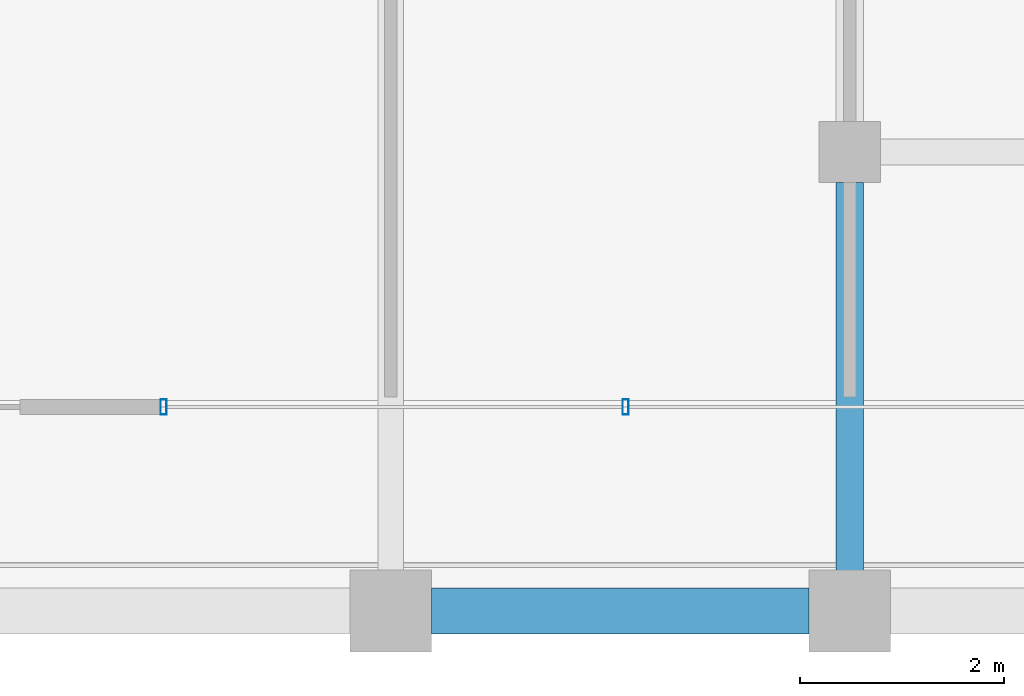
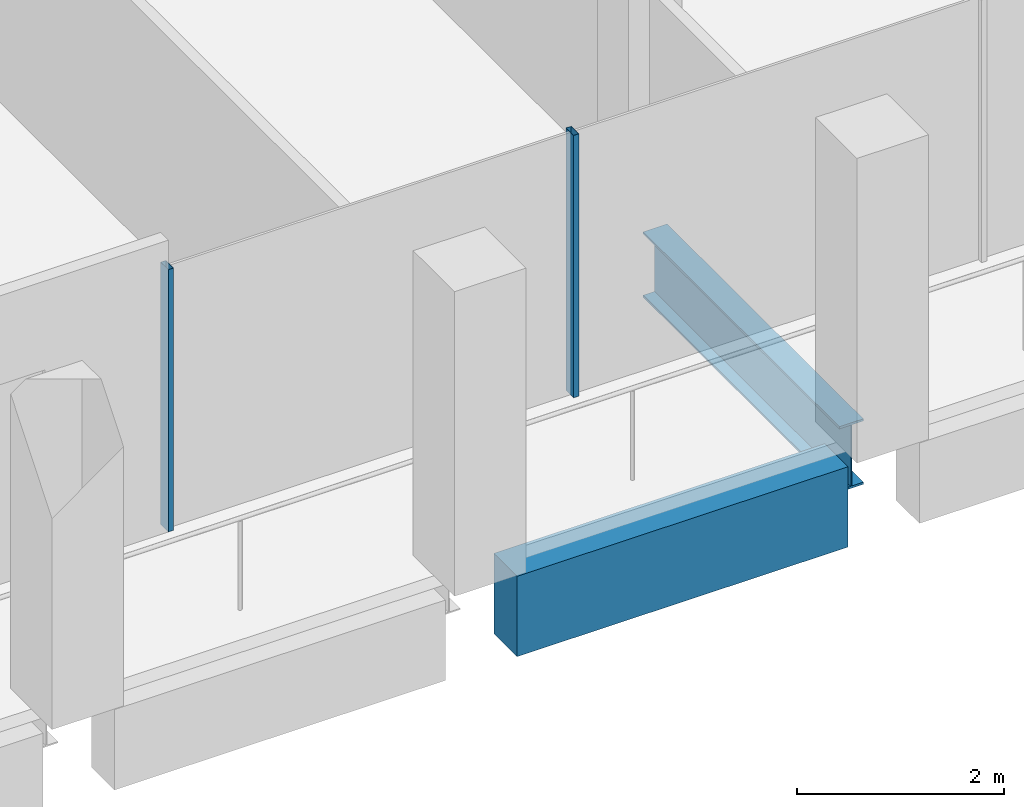
# One storey, part 9 of 30: 2 beams, 2 members, 1 element without a shape of its own.
"""IFC4 building model written with IfcOpenShell, lengths in metres."""

from ifc_helpers import new_model, si_unit, direction, frame, origin, origin_2d, place, context, subcontext, project, spatial, rectangle, hollow_rectangle, i_section, extrude, material, material_profile, profile_set, type_object, element, aggregate, save


model = new_model("IFC4")

# Units and contexts
model_context = context("Model", 3, precision=1e-05, world=origin(), true_north=direction((0.0, 1.0)))
body_context = subcontext(model_context, "Body", "Model", "MODEL_VIEW")
ifc_project = project(units=[si_unit("LENGTHUNIT", "METRE"), si_unit("AREAUNIT", "SQUARE_METRE"), si_unit("VOLUMEUNIT", "CUBIC_METRE"), si_unit("PLANEANGLEUNIT", "RADIAN"), si_unit("MASSUNIT", "GRAM", prefix="KILO")], contexts=[model_context])

# Site, building, storey
site_placement = place(None, origin())
site = spatial("IfcSite", under=ifc_project, at=site_placement, CompositionType="ELEMENT")
building_placement = place(site_placement, origin())
building = spatial("IfcBuilding", under=site, at=building_placement, Name="Altepetl Exchange Towers", CompositionType="ELEMENT")
storey_placement = place(building_placement, frame((0.0, 0.0, 224.39990234375)))
storey = spatial("IfcBuildingStorey", under=building, at=storey_placement, Name="L57", CompositionType="ELEMENT", Elevation=224.39990234375)

# Beam
ifc_material_1 = material(Name="Steel S355", Category="steel")
ifc_material_profile_1 = material_profile(ifc_material_1, i_section(OverallWidth=0.26806640625, OverallDepth=0.77392578125, WebThickness=0.015380859375, FlangeThickness=0.025390625, at=origin_2d()), Name="W30X132")
ifc_profile_set_1 = profile_set([ifc_material_profile_1], Name="Steel S355")
beam_type_1 = type_object("IfcBeamType", Name="Girder W30X132", PredefinedType="BEAM", material=ifc_profile_set_1)
beam_1_placement = place(storey_placement, frame((58.5, 31.199951171875, -0.536865234375), z_axis=(0.0, -1.0, 0.0), x_axis=(1.0, 0.0, 0.0)))
element("IfcBeam", 1, at=beam_1_placement, inside=storey, type_object=beam_type_1, Name="gd:A:L57:005", PredefinedType="BEAM", context=body_context, shape_type="SweptSolid", body=[
    extrude(i_section(OverallWidth=0.26806640625, OverallDepth=0.77392578125, WebThickness=0.015380859375, FlangeThickness=0.025390625, at=origin_2d()), origin(), (0.0, 0.0, 1.0), 3.800048828125),
])

# Curtain wall, members
ifc_material_2 = material(Name="Aluminium 6063-T6 glazing", Category="aluminium")
curtain_wall_type = type_object("IfcCurtainWallType", Name="Loggia glazing system", PredefinedType="NOTDEFINED", material=ifc_material_2)
curtain_wall_placement = place(storey_placement, origin())
curtain_wall = element("IfcCurtainWall", 2, at=curtain_wall_placement, inside=storey, type_object=curtain_wall_type, Name="CW1 run", PredefinedType="NOTDEFINED")
ifc_material_3 = material(Name="Aluminium 6063-T6", Category="aluminium")
ifc_material_profile_2 = material_profile(ifc_material_3, hollow_rectangle(XDim=0.06005859375, YDim=0.14990234375, WallThickness=0.0029296875, at=origin_2d()), Name="Mullion 60x150 aluminium")
ifc_profile_set_2 = profile_set([ifc_material_profile_2], Name="Aluminium 6063-T6")
member_type = type_object("IfcMemberType", Name="Mullion 60x150 aluminium", PredefinedType="MULLION", material=ifc_profile_set_2)
member_1_placement = place(storey_placement, frame((51.77294921875, 29.0, 0.0)))
member_1 = element("IfcMember", 3, at=member_1_placement, type_object=member_type, Name="MU1 mullion", PredefinedType="MULLION", context=body_context, shape_type="SweptSolid", body=[
    extrude(hollow_rectangle(XDim=0.06005859375, YDim=0.14990234375, WallThickness=0.0029296875, at=origin_2d()), origin(), (0.0, 0.0, 1.0), 3.10009765625),
])
member_2_placement = place(storey_placement, frame((56.303466796875, 29.0, 0.0)))
member_2 = element("IfcMember", 4, at=member_2_placement, type_object=member_type, Name="MU1 mullion", PredefinedType="MULLION", context=body_context, shape_type="SweptSolid", body=[
    extrude(hollow_rectangle(XDim=0.06005859375, YDim=0.14990234375, WallThickness=0.0029296875, at=origin_2d()), origin(), (0.0, 0.0, 1.0), 3.10009765625),
])
aggregate(curtain_wall, [member_1, member_2])

# Beam
ifc_material_4 = material(Name="Concrete C50/60 precast with cantera blanca facing", Category="concrete")
ifc_material_profile_3 = material_profile(ifc_material_4, rectangle(XDim=0.449951171875, YDim=0.949951171875, at=origin_2d()), Name="450 x 950")
ifc_profile_set_3 = profile_set([ifc_material_profile_3], Name="Concrete C50/60 precast with cantera blanca facing")
beam_type_2 = type_object("IfcBeamType", Name="Spandrel beam 450x950 cantera blanca", PredefinedType="SPANDREL", material=ifc_profile_set_3)
beam_2_placement = place(storey_placement, frame((54.39990234375, 27.0, -0.625), z_axis=(1.0, 0.0, 0.0), x_axis=(0.0, 1.0, 0.0)))
element("IfcBeam", 5, at=beam_2_placement, inside=storey, type_object=beam_type_2, Name="sp:A:L57:005", PredefinedType="SPANDREL", context=body_context, shape_type="SweptSolid", body=[
    extrude(rectangle(XDim=0.449951171875, YDim=0.949951171875, at=origin_2d()), origin(), (0.0, 0.0, 1.0), 3.7001953125),
])

save(model, "model.ifc")
